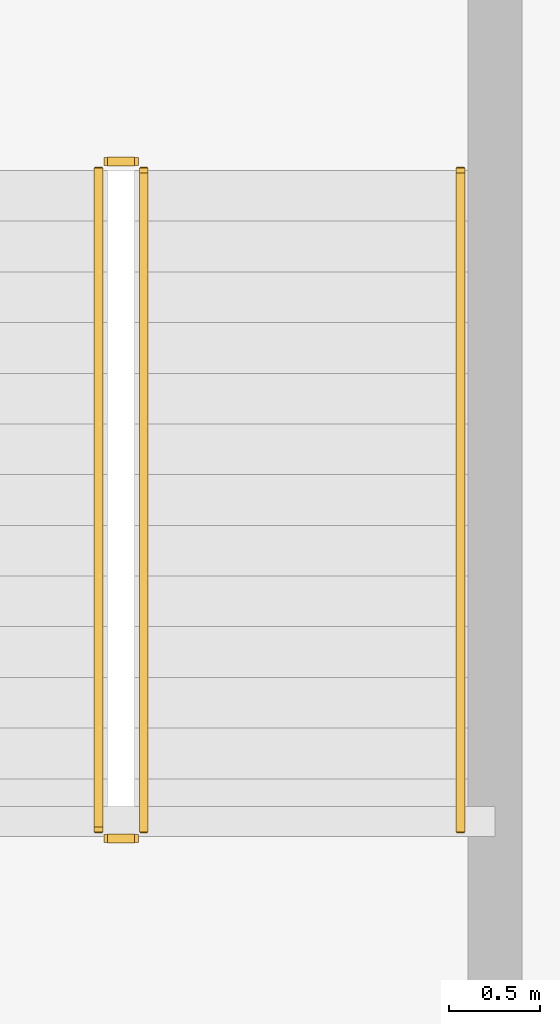
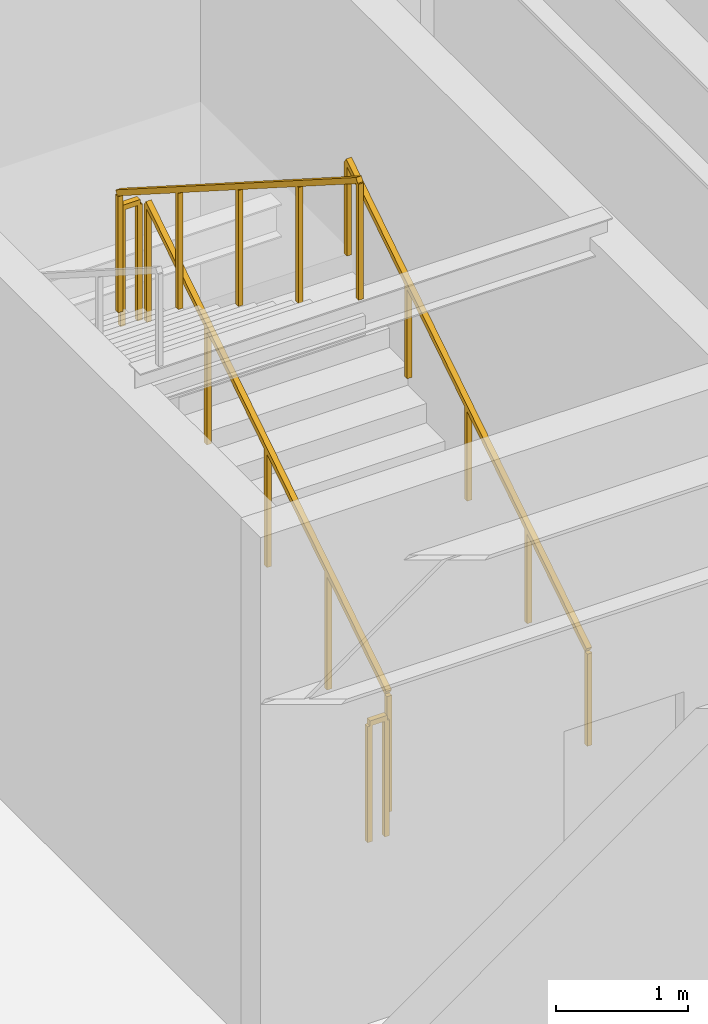
# One storey, part 24 of 24: 5 railings.
"""IFC4 building model written with IfcOpenShell, lengths in metres."""

from ifc_helpers import new_model, si_unit, direction, frame, origin, origin_2d, place, context, subcontext, project, spatial, rectangle, extrude, material, type_object, element, save


model = new_model("IFC4")

# Units and contexts
model_context = context("Model", 3, precision=1e-05, world=origin(), true_north=direction((0.0, 1.0)))
body_context = subcontext(model_context, "Body", "Model", "MODEL_VIEW")
ifc_project = project(units=[si_unit("LENGTHUNIT", "METRE"), si_unit("AREAUNIT", "SQUARE_METRE"), si_unit("VOLUMEUNIT", "CUBIC_METRE"), si_unit("PLANEANGLEUNIT", "RADIAN"), si_unit("MASSUNIT", "GRAM", prefix="KILO")], contexts=[model_context])

# Site, building, storey
site_placement = place(None, origin())
site = spatial("IfcSite", under=ifc_project, at=site_placement, CompositionType="ELEMENT")
building_placement = place(site_placement, origin())
building = spatial("IfcBuilding", under=site, at=building_placement, Name="Vantalir Tower", CompositionType="ELEMENT")
storey_placement = place(building_placement, frame((0.0, 0.0, 6.0)))
storey = spatial("IfcBuildingStorey", under=building, at=storey_placement, Name="L01", CompositionType="ELEMENT", Elevation=6.0)

# Railings
ifc_material_1 = material(Name="Anodised aluminium and stainless steel guard", Category="steel")
railing_type_1 = type_object("IfcRailingType", Name="RAL-GUARD-1120", PredefinedType="GUARDRAIL", material=ifc_material_1)
railing_1_placement = place(storey_placement, frame((57.199951171875, 40.85009765625, 0.178466796875)))
element("IfcRailing", 1, at=railing_1_placement, inside=storey, type_object=railing_type_1, Name="Level 01 PST2 stair guard 1", PredefinedType="GUARDRAIL", context=body_context, shape_type="SweptSolid", body=[
    extrude(rectangle(XDim=0.048095703125, YDim=0.048095703125, at=origin_2d()), frame((0.0, 0.0, 1.09619140625), z_axis=(0.0, 0.843111507901, 0.53773877045), x_axis=(-1.0, 0.0, 0.0)), (0.0, 0.0, 1.0), 4.317138671875),
    extrude(rectangle(XDim=0.0419921875, YDim=0.0419921875, at=origin_2d()), origin(), (0.0, 0.0, 1.0), 1.072021484375),
    extrude(rectangle(XDim=0.0419921875, YDim=0.0419921875, at=origin_2d()), frame((0.0, 0.909912109375, 0.580322265625)), (0.0, 0.0, 1.0), 1.072021484375),
    extrude(rectangle(XDim=0.0419921875, YDim=0.0419921875, at=origin_2d()), frame((0.0, 1.81982421875, 1.16064453125)), (0.0, 0.0, 1.0), 1.072021484375),
    extrude(rectangle(XDim=0.0419921875, YDim=0.0419921875, at=origin_2d()), frame((0.0, 2.72998046875, 1.7412109375)), (0.0, 0.0, 1.0), 1.072021484375),
    extrude(rectangle(XDim=0.0419921875, YDim=0.0419921875, at=origin_2d()), frame((0.0, 3.639892578125, 2.321533203125)), (0.0, 0.0, 1.0), 1.072021484375),
])
railing_2_placement = place(storey_placement, frame((57.14990234375, 44.5400390625, 2.5)))
element("IfcRailing", 2, at=railing_2_placement, inside=storey, type_object=railing_type_1, Name="Level 01 PST2 stair guard 2", PredefinedType="GUARDRAIL", context=body_context, shape_type="SweptSolid", body=[
    extrude(rectangle(XDim=0.048095703125, YDim=0.048095703125, at=origin_2d()), frame((0.0, 0.0, 1.09619140625), z_axis=(-1.0, 0.0, 0.0), x_axis=(0.0, -1.0, 0.0)), (0.0, 0.0, 1.0), 0.14990234375),
    extrude(rectangle(XDim=0.0419921875, YDim=0.0419921875, at=origin_2d()), origin(), (0.0, 0.0, 1.0), 1.072021484375),
    extrude(rectangle(XDim=0.0419921875, YDim=0.0419921875, at=origin_2d()), frame((-0.14990234375, 0.0, 0.0)), (0.0, 0.0, 1.0), 1.072021484375),
])
railing_3_placement = place(storey_placement, frame((56.949951171875, 44.489990234375, 2.678466796875)))
element("IfcRailing", 3, at=railing_3_placement, inside=storey, type_object=railing_type_1, Name="Level 01 PST2 stair guard 3", PredefinedType="GUARDRAIL", context=body_context, shape_type="SweptSolid", body=[
    extrude(rectangle(XDim=0.048095703125, YDim=0.048095703125, at=origin_2d()), frame((0.0, 0.0, 1.09619140625), z_axis=(0.0, -0.843111507901, 0.53773877045), x_axis=(1.0, 0.0, 0.0)), (0.0, 0.0, 1.0), 4.317138671875),
    extrude(rectangle(XDim=0.0419921875, YDim=0.0419921875, at=origin_2d()), origin(), (0.0, 0.0, 1.0), 1.072021484375),
    extrude(rectangle(XDim=0.0419921875, YDim=0.0419921875, at=origin_2d()), frame((0.0, -0.909912109375, 0.580322265625)), (0.0, 0.0, 1.0), 1.072021484375),
    extrude(rectangle(XDim=0.0419921875, YDim=0.0419921875, at=origin_2d()), frame((0.0, -1.81982421875, 1.16064453125)), (0.0, 0.0, 1.0), 1.072021484375),
    extrude(rectangle(XDim=0.0419921875, YDim=0.0419921875, at=origin_2d()), frame((0.0, -2.72998046875, 1.7412109375)), (0.0, 0.0, 1.0), 1.072021484375),
    extrude(rectangle(XDim=0.0419921875, YDim=0.0419921875, at=origin_2d()), frame((0.0, -3.639892578125, 2.321533203125)), (0.0, 0.0, 1.0), 1.072021484375),
])
railing_4_placement = place(storey_placement, frame((57.14990234375, 40.800048828125, 0.0)))
element("IfcRailing", 4, at=railing_4_placement, inside=storey, type_object=railing_type_1, Name="Level 01 PST2 stair guard 4", PredefinedType="GUARDRAIL", context=body_context, shape_type="SweptSolid", body=[
    extrude(rectangle(XDim=0.048095703125, YDim=0.048095703125, at=origin_2d()), frame((0.0, 0.0, 1.09619140625), z_axis=(-1.0, 0.0, 0.0), x_axis=(0.0, -1.0, 0.0)), (0.0, 0.0, 1.0), 0.14990234375),
    extrude(rectangle(XDim=0.0419921875, YDim=0.0419921875, at=origin_2d()), origin(), (0.0, 0.0, 1.0), 1.072021484375),
    extrude(rectangle(XDim=0.0419921875, YDim=0.0419921875, at=origin_2d()), frame((-0.14990234375, 0.0, 0.0)), (0.0, 0.0, 1.0), 1.072021484375),
])
ifc_material_2 = material(Name="Brushed stainless steel tubular handrail", Category="steel")
railing_type_2 = type_object("IfcRailingType", Name="RAL-HANDRAIL-900", PredefinedType="HANDRAIL", material=ifc_material_2)
railing_5_placement = place(storey_placement, frame((58.949951171875, 40.85009765625, 0.178466796875)))
element("IfcRailing", 5, at=railing_5_placement, inside=storey, type_object=railing_type_2, Name="Level 01 PST2 stair handrail 1", PredefinedType="HANDRAIL", context=body_context, shape_type="SweptSolid", body=[
    extrude(rectangle(XDim=0.048095703125, YDim=0.048095703125, at=origin_2d()), frame((0.0, 0.0, 0.8759765625), z_axis=(0.0, 0.843111507901, 0.53773877045), x_axis=(-1.0, 0.0, 0.0)), (0.0, 0.0, 1.0), 4.317138671875),
    extrude(rectangle(XDim=0.0419921875, YDim=0.0419921875, at=origin_2d()), origin(), (0.0, 0.0, 1.0), 0.851806640625),
    extrude(rectangle(XDim=0.0419921875, YDim=0.0419921875, at=origin_2d()), frame((0.0, 0.909912109375, 0.580322265625)), (0.0, 0.0, 1.0), 0.851806640625),
    extrude(rectangle(XDim=0.0419921875, YDim=0.0419921875, at=origin_2d()), frame((0.0, 1.81982421875, 1.16064453125)), (0.0, 0.0, 1.0), 0.851806640625),
    extrude(rectangle(XDim=0.0419921875, YDim=0.0419921875, at=origin_2d()), frame((0.0, 2.72998046875, 1.7412109375)), (0.0, 0.0, 1.0), 0.851806640625),
    extrude(rectangle(XDim=0.0419921875, YDim=0.0419921875, at=origin_2d()), frame((0.0, 3.639892578125, 2.321533203125)), (0.0, 0.0, 1.0), 0.851806640625),
])

save(model, "model.ifc")
